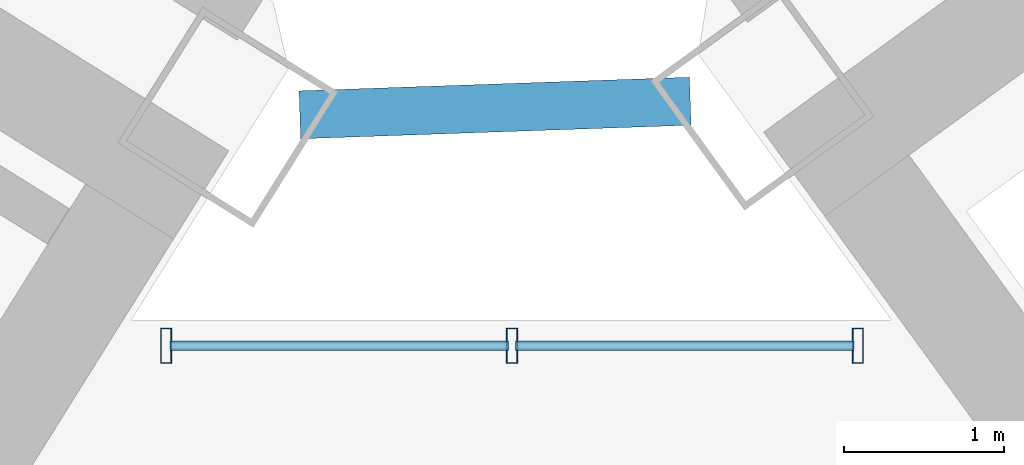
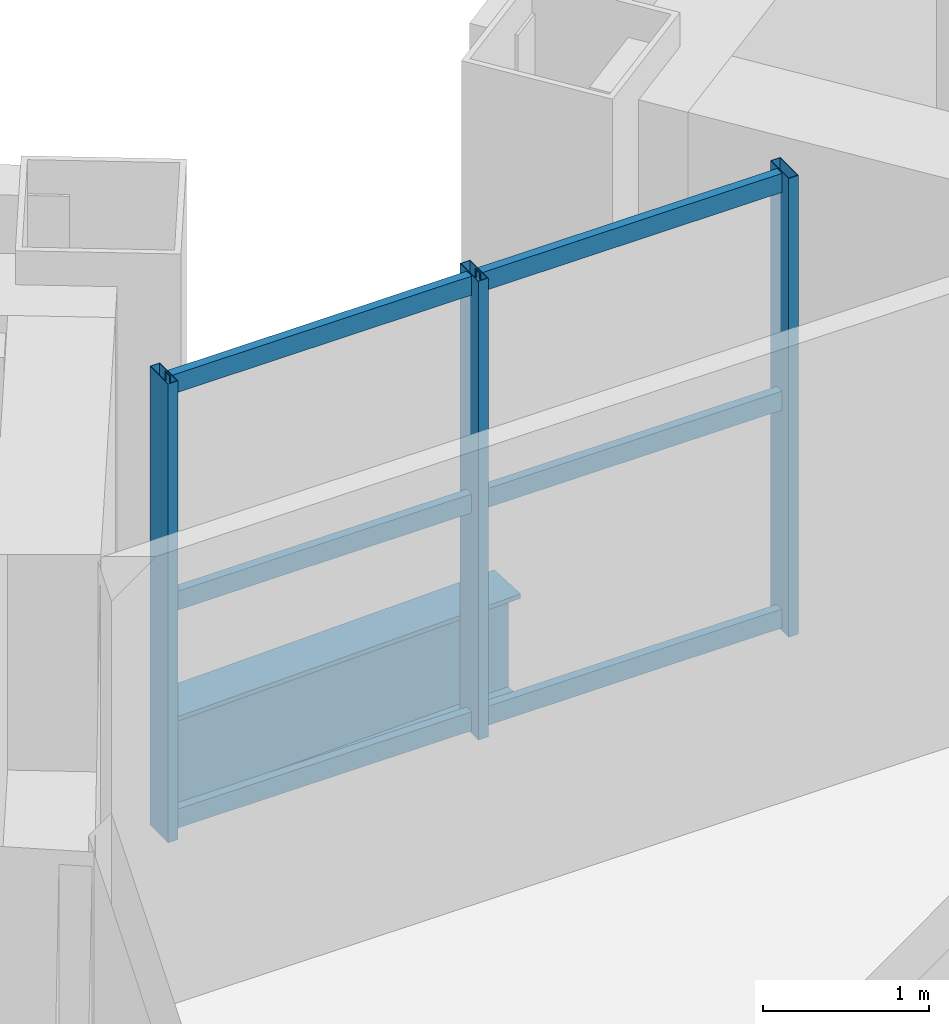
# One storey, part 11 of 24: 9 members, 1 beam, 1 element without a shape of its own.
"""IFC4 building model written with IfcOpenShell, lengths in metres."""

from ifc_helpers import new_model, si_unit, direction, frame, origin, origin_2d, place, context, subcontext, project, spatial, hollow_rectangle, i_section, extrude, source, transform, mapped, material, material_profile, profile_set, type_object, element, aggregate, save


model = new_model("IFC4")

# Units and contexts
model_context = context("Model", 3, precision=1e-05, world=origin(), true_north=direction((0.0, 1.0)))
body_context = subcontext(model_context, "Body", "Model", "MODEL_VIEW")
ifc_project = project(units=[si_unit("LENGTHUNIT", "METRE"), si_unit("AREAUNIT", "SQUARE_METRE"), si_unit("VOLUMEUNIT", "CUBIC_METRE"), si_unit("PLANEANGLEUNIT", "RADIAN"), si_unit("MASSUNIT", "GRAM", prefix="KILO")], contexts=[model_context])

# Site, building, storey
site_placement = place(None, origin())
site = spatial("IfcSite", under=ifc_project, at=site_placement, CompositionType="ELEMENT")
building_placement = place(site_placement, origin())
building = spatial("IfcBuilding", under=site, at=building_placement, Name="Tlacorven Tower", CompositionType="ELEMENT")
storey_placement = place(building_placement, frame((0.0, 0.0, 31.199951171875)))
storey = spatial("IfcBuildingStorey", under=building, at=storey_placement, Name="L07", CompositionType="ELEMENT", Elevation=31.199951171875)

# Beam
ifc_material_1 = material(Name="Steel S355J2", Category="steel")
ifc_material_profile_1 = material_profile(ifc_material_1, i_section(OverallWidth=0.300048828125, OverallDepth=0.800048828125, WebThickness=0.017578125, FlangeThickness=0.032958984375, at=origin_2d()), Name="HEB 800")
ifc_profile_set_1 = profile_set([ifc_material_profile_1], Name="Steel S355J2")
beam_type = type_object("IfcBeamType", Name="BM-POD-800", PredefinedType="BEAM", material=ifc_profile_set_1)
shared_shape_1 = source(origin(), body_context, "Body", "SweptSolid", [
    extrude(i_section(OverallWidth=0.300048828125, OverallDepth=0.800048828125, WebThickness=0.017578125, FlangeThickness=0.032958984375, at=origin_2d()), origin(), (0.0, 0.0, 1.0), 2.44287109375),
])
beam_placement = place(storey_placement, frame((41.232666015625, 24.484130859375, -0.64990234375), z_axis=(0.999391550767, 0.034878765122, 0.0), x_axis=(-0.034878765122, 0.999391550767, 0.0)))
element("IfcBeam", 1, at=beam_placement, inside=storey, type_object=beam_type, Name="L07 Knuckle Link Girder 1", PredefinedType="BEAM", context=body_context, shape_type="MappedRepresentation", body=[
    mapped(shared_shape_1, transform((0.0, 0.0, 0.0), scale=1.0)),
])

# Curtain wall, members
ifc_material_2 = material(Name="Dark solar low-E double glazing in aluminium frame", Category="aluminium")
curtain_wall_type = type_object("IfcCurtainWallType", Name="CW-TWR-LOW", PredefinedType="USERDEFINED", material=ifc_material_2)
curtain_wall_placement = place(storey_placement, origin())
curtain_wall = element("IfcCurtainWall", 2, at=curtain_wall_placement, inside=storey, type_object=curtain_wall_type, Name="L07 CW-TWR-LOW Curtain Wall 38", ObjectType="UNITISED CURTAIN WALL", PredefinedType="USERDEFINED")
ifc_material_3 = material(Name="Aluminium 6063-T6 anodised", Category="aluminium")
ifc_material_profile_2 = material_profile(ifc_material_3, hollow_rectangle(XDim=0.070068359375, YDim=0.219970703125, WallThickness=0.0048828125, at=origin_2d()), Name="ALU MULLION 70X220")
ifc_profile_set_2 = profile_set([ifc_material_profile_2], Name="Aluminium 6063-T6 anodised")
member_type_1 = type_object("IfcMemberType", Name="CWM-01", PredefinedType="MULLION", material=ifc_profile_set_2)
shared_shape_2 = source(origin(), body_context, "Body", "SweptSolid", [
    extrude(hollow_rectangle(XDim=0.070068359375, YDim=0.219970703125, WallThickness=0.0048828125, at=origin_2d()), origin(), (0.0, 0.0, 1.0), 3.380126953125),
])
member_1_placement = place(storey_placement, frame((40.396728515625, 23.0400390625, -0.02001953125), z_axis=(0.0, 0.0, 1.0), x_axis=(1.0, 0.0, 0.0)))
member_1 = element("IfcMember", 3, at=member_1_placement, type_object=member_type_1, Name="CW-L07-038 Mullion 1", PredefinedType="MULLION", context=body_context, shape_type="MappedRepresentation", body=[
    mapped(shared_shape_2, transform((0.0, 0.0, 0.0), scale=1.0)),
])
member_2_placement = place(storey_placement, frame((42.559326171875, 23.0400390625, -0.02001953125), z_axis=(0.0, 0.0, 1.0), x_axis=(1.0, 0.0, 0.0)))
member_2 = element("IfcMember", 4, at=member_2_placement, type_object=member_type_1, Name="CW-L07-038 Mullion 2", PredefinedType="MULLION", context=body_context, shape_type="MappedRepresentation", body=[
    mapped(shared_shape_2, transform((0.0, 0.0, 0.0), scale=1.0)),
])
member_3_placement = place(storey_placement, frame((44.721923828125, 23.0400390625, -0.02001953125), z_axis=(0.0, 0.0, 1.0), x_axis=(1.0, 0.0, 0.0)))
member_3 = element("IfcMember", 5, at=member_3_placement, type_object=member_type_1, Name="CW-L07-038 Mullion 3", PredefinedType="MULLION", context=body_context, shape_type="MappedRepresentation", body=[
    mapped(shared_shape_2, transform((0.0, 0.0, 0.0), scale=1.0)),
])
ifc_material_profile_3 = material_profile(ifc_material_3, hollow_rectangle(XDim=0.06005859375, YDim=0.139892578125, WallThickness=0.00390625, at=origin_2d()), Name="ALU TRANSOM 60X140")
ifc_profile_set_3 = profile_set([ifc_material_profile_3], Name="Aluminium 6063-T6 anodised")
member_type_2 = type_object("IfcMemberType", Name="CWT-02", PredefinedType="USERDEFINED", material=ifc_profile_set_3)
shared_shape_3 = source(origin(), body_context, "Body", "SweptSolid", [
    extrude(hollow_rectangle(XDim=0.06005859375, YDim=0.139892578125, WallThickness=0.00390625, at=origin_2d()), origin(), (0.0, 0.0, 1.0), 2.116455078125),
])
member_4_placement = place(storey_placement, frame((40.419921875, 23.0400390625, 0.070068359375), z_axis=(1.0, 0.0, 0.0), x_axis=(0.0, 1.0, 0.0)))
member_4 = element("IfcMember", 6, at=member_4_placement, type_object=member_type_2, Name="CW-L07-038 Transom 1", ObjectType="TRANSOM", PredefinedType="USERDEFINED", context=body_context, shape_type="MappedRepresentation", body=[
    mapped(shared_shape_3, transform((0.0, 0.0, 0.0), scale=1.0)),
])
member_5_placement = place(storey_placement, frame((40.419921875, 23.0400390625, 1.675048828125), z_axis=(1.0, 0.0, 0.0), x_axis=(0.0, 1.0, 0.0)))
member_5 = element("IfcMember", 7, at=member_5_placement, type_object=member_type_2, Name="CW-L07-038 Transom 2", ObjectType="TRANSOM", PredefinedType="USERDEFINED", context=body_context, shape_type="MappedRepresentation", body=[
    mapped(shared_shape_3, transform((0.0, 0.0, 0.0), scale=1.0)),
])
member_6_placement = place(storey_placement, frame((40.419921875, 23.0400390625, 3.280029296875), z_axis=(1.0, 0.0, 0.0), x_axis=(0.0, 1.0, 0.0)))
member_6 = element("IfcMember", 8, at=member_6_placement, type_object=member_type_2, Name="CW-L07-038 Transom 3", ObjectType="TRANSOM", PredefinedType="USERDEFINED", context=body_context, shape_type="MappedRepresentation", body=[
    mapped(shared_shape_3, transform((0.0, 0.0, 0.0), scale=1.0)),
])
shared_shape_4 = source(origin(), body_context, "Body", "SweptSolid", [
    extrude(hollow_rectangle(XDim=0.06005859375, YDim=0.139892578125, WallThickness=0.00390625, at=origin_2d()), origin(), (0.0, 0.0, 1.0), 2.11669921875),
])
member_7_placement = place(storey_placement, frame((42.582275390625, 23.0400390625, 0.070068359375), z_axis=(1.0, 0.0, 0.0), x_axis=(0.0, 1.0, 0.0)))
member_7 = element("IfcMember", 9, at=member_7_placement, type_object=member_type_2, Name="CW-L07-038 Transom 4", ObjectType="TRANSOM", PredefinedType="USERDEFINED", context=body_context, shape_type="MappedRepresentation", body=[
    mapped(shared_shape_4, transform((0.0, 0.0, 0.0), scale=1.0)),
])
member_8_placement = place(storey_placement, frame((42.582275390625, 23.0400390625, 1.675048828125), z_axis=(1.0, 0.0, 0.0), x_axis=(0.0, 1.0, 0.0)))
member_8 = element("IfcMember", 10, at=member_8_placement, type_object=member_type_2, Name="CW-L07-038 Transom 5", ObjectType="TRANSOM", PredefinedType="USERDEFINED", context=body_context, shape_type="MappedRepresentation", body=[
    mapped(shared_shape_4, transform((0.0, 0.0, 0.0), scale=1.0)),
])
member_9_placement = place(storey_placement, frame((42.582275390625, 23.0400390625, 3.280029296875), z_axis=(1.0, 0.0, 0.0), x_axis=(0.0, 1.0, 0.0)))
member_9 = element("IfcMember", 11, at=member_9_placement, type_object=member_type_2, Name="CW-L07-038 Transom 6", ObjectType="TRANSOM", PredefinedType="USERDEFINED", context=body_context, shape_type="MappedRepresentation", body=[
    mapped(shared_shape_4, transform((0.0, 0.0, 0.0), scale=1.0)),
])
aggregate(curtain_wall, [member_1, member_2, member_3, member_4, member_5, member_6, member_7, member_8, member_9])

save(model, "model.ifc")
